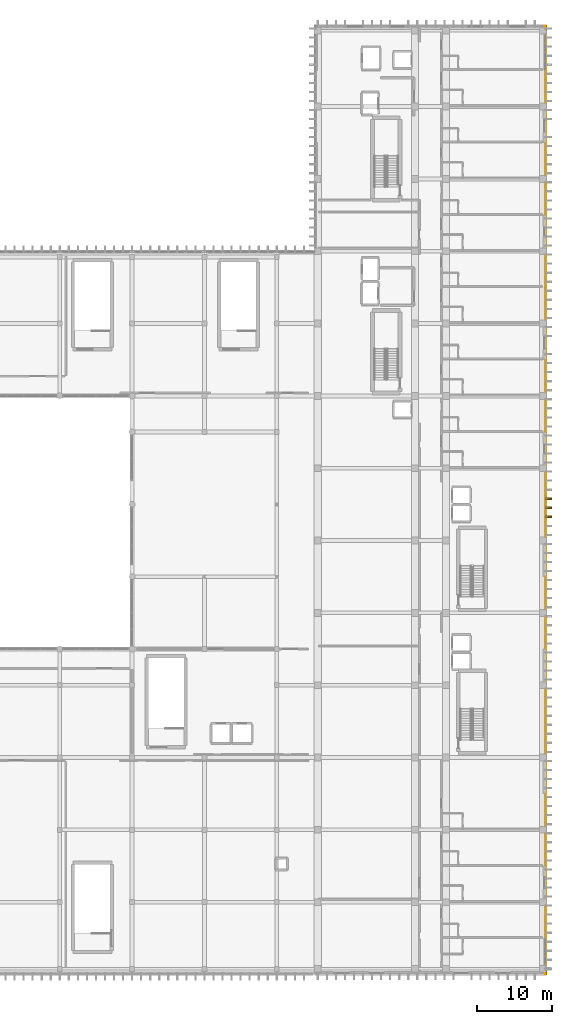
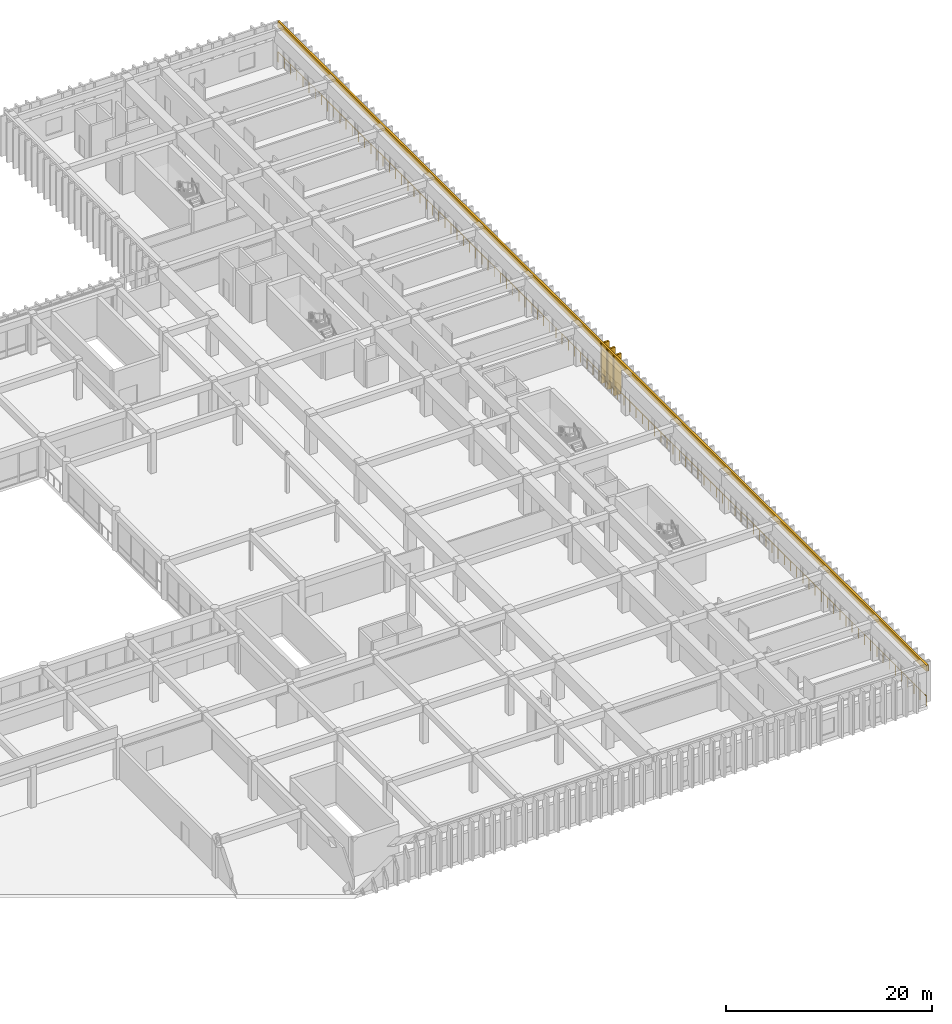
# One storey, part 97 of 101: 4 coverings, 3 shading devices, 1 railing.
"""IFC4 building model written with IfcOpenShell, lengths in metres."""

from ifc_helpers import new_model, si_unit, direction, frame, origin, origin_2d, place, context, subcontext, project, spatial, rectangle, circle, extrude, material, layer, layer_set, type_object, element, save


model = new_model("IFC4")

# Units and contexts
model_context = context("Model", 3, precision=1e-05, world=origin(), true_north=direction((0.0, 1.0)))
body_context = subcontext(model_context, "Body", "Model", "MODEL_VIEW")
ifc_project = project(units=[si_unit("LENGTHUNIT", "METRE"), si_unit("AREAUNIT", "SQUARE_METRE"), si_unit("VOLUMEUNIT", "CUBIC_METRE"), si_unit("PLANEANGLEUNIT", "RADIAN"), si_unit("MASSUNIT", "GRAM", prefix="KILO")], contexts=[model_context])

# Site, building, storey
site_placement = place(None, origin())
site = spatial("IfcSite", under=ifc_project, at=site_placement, CompositionType="ELEMENT")
building_placement = place(site_placement, origin())
building = spatial("IfcBuilding", under=site, at=building_placement, Name="Nakhvara Creek Congress Hotel", CompositionType="ELEMENT")
storey_placement = place(building_placement, frame((0.0, 0.0, 16.199951171875)))
storey = spatial("IfcBuildingStorey", under=building, at=storey_placement, Name="L03", CompositionType="ELEMENT", Elevation=16.199951171875)

# Coverings
ifc_material_1 = material(Name="Honed pale Omani limestone architectural cladding", Category="masonry")
ifc_layer_1 = layer(ifc_material_1, 0.219970703125)
ifc_layer_set_1 = layer_set([ifc_layer_1], Name="Honed pale Omani limestone architectural cladding")
covering_type_1 = type_object("IfcCoveringType", Name="COV-FIN-850", PredefinedType="CLADDING", material=ifc_layer_set_1)
for number, where, z_axis, x_axis, name in (
    (1, (180.054931640625, 60.75, 0.0), (0.0, 0.0, 1.0), (0.0, 1.0, 0.0), "Pale Limestone Fin Cladding CF01-1077"),
    (2, (180.054931640625, 61.949951171875, 0.0), (0.0, 0.0, 1.0), (0.0, 1.0, 0.0), "Pale Limestone Fin Cladding CF01-1078"),
    (3, (180.054931640625, 63.14990234375, 0.0), (0.0, 0.0, 1.0), (0.0, 1.0, 0.0), "Pale Limestone Fin Cladding CF01-1079"),
):
    element("IfcCovering", number, at=place(storey_placement, frame(where, z_axis=z_axis, x_axis=x_axis)), inside=storey, type_object=covering_type_1, Name=name, PredefinedType="CLADDING", context=body_context, shape_type="SweptSolid", body=[
        extrude(rectangle(XDim=0.219970703125, YDim=0.85009765625, at=origin_2d()), origin(), (0.0, 0.0, 1.0), 4.760009765625),
    ])
ifc_layer_2 = layer(ifc_material_1, 0.179931640625)
ifc_layer_set_2 = layer_set([ifc_layer_2], Name="Honed pale Omani limestone architectural cladding")
covering_type_2 = type_object("IfcCoveringType", Name="COV-SPN-180", PredefinedType="CLADDING", material=ifc_layer_set_2)
covering_placement = place(storey_placement, frame((179.739990234375, 63.0, 4.110107421875), z_axis=(0.0, 0.0, 1.0), x_axis=(0.0, 1.0, 0.0)))
element("IfcCovering", 4, at=covering_placement, inside=storey, type_object=covering_type_2, Name="Pale Limestone Spandrel Band CF02-0053", PredefinedType="CLADDING", context=body_context, shape_type="SweptSolid", body=[
    extrude(rectangle(XDim=126.0, YDim=0.219970703125, at=origin_2d()), origin(), (0.0, 0.0, 1.0), 0.72998046875),
])

# Railing
ifc_material_2 = material(Name="Brushed stainless steel 316L", Category="steel")
railing_type = type_object("IfcRailingType", Name="RL-GUARD-1200", PredefinedType="GUARDRAIL", material=ifc_material_2)
railing_placement = place(storey_placement, frame((179.669921875, 0.080078125, 0.0)))
element("IfcRailing", 5, at=railing_placement, inside=storey, type_object=railing_type, Name="Perimeter Safety Rail East L03", PredefinedType="GUARDRAIL", context=body_context, shape_type="SweptSolid", body=[
    extrude(circle(Radius=0.02392578125, at=origin_2d()), frame((0.0, 0.0146484375, 1.17578125), z_axis=(0.0, 1.0, 0.0), x_axis=(-1.0, 0.0, 0.0)), (0.0, 0.0, 1.0), 125.810546875),
    extrude(circle(Radius=0.02099609375, at=origin_2d()), origin(), (0.0, 0.0, 1.0), 1.1806640625),
    extrude(circle(Radius=0.02099609375, at=origin_2d()), frame((0.0, 1.198486328125, 0.0)), (0.0, 0.0, 1.0), 1.1806640625),
    extrude(circle(Radius=0.02099609375, at=origin_2d()), frame((0.0, 2.39697265625, 0.0)), (0.0, 0.0, 1.0), 1.1806640625),
    extrude(circle(Radius=0.02099609375, at=origin_2d()), frame((0.0, 3.595458984375, 0.0)), (0.0, 0.0, 1.0), 1.1806640625),
    extrude(circle(Radius=0.02099609375, at=origin_2d()), frame((0.0, 4.7939453125, 0.0)), (0.0, 0.0, 1.0), 1.1806640625),
    extrude(circle(Radius=0.02099609375, at=origin_2d()), frame((0.0, 5.992431640625, 0.0)), (0.0, 0.0, 1.0), 1.1806640625),
    extrude(circle(Radius=0.02099609375, at=origin_2d()), frame((0.0, 7.19091796875, 0.0)), (0.0, 0.0, 1.0), 1.1806640625),
    extrude(circle(Radius=0.02099609375, at=origin_2d()), frame((0.0, 8.389404296875, 0.0)), (0.0, 0.0, 1.0), 1.1806640625),
    extrude(circle(Radius=0.02099609375, at=origin_2d()), frame((0.0, 9.587890625, 0.0)), (0.0, 0.0, 1.0), 1.1806640625),
    extrude(circle(Radius=0.02099609375, at=origin_2d()), frame((0.0, 10.786376953125, 0.0)), (0.0, 0.0, 1.0), 1.1806640625),
    extrude(circle(Radius=0.02099609375, at=origin_2d()), frame((0.0, 11.98486328125, 0.0)), (0.0, 0.0, 1.0), 1.1806640625),
    extrude(circle(Radius=0.02099609375, at=origin_2d()), frame((0.0, 13.18310546875, 0.0)), (0.0, 0.0, 1.0), 1.1806640625),
    extrude(circle(Radius=0.02099609375, at=origin_2d()), frame((0.0, 14.381591796875, 0.0)), (0.0, 0.0, 1.0), 1.1806640625),
    extrude(circle(Radius=0.02099609375, at=origin_2d()), frame((0.0, 15.580078125, 0.0)), (0.0, 0.0, 1.0), 1.1806640625),
    extrude(circle(Radius=0.02099609375, at=origin_2d()), frame((0.0, 16.778564453125, 0.0)), (0.0, 0.0, 1.0), 1.1806640625),
    extrude(circle(Radius=0.02099609375, at=origin_2d()), frame((0.0, 17.97705078125, 0.0)), (0.0, 0.0, 1.0), 1.1806640625),
    extrude(circle(Radius=0.02099609375, at=origin_2d()), frame((0.0, 19.175537109375, 0.0)), (0.0, 0.0, 1.0), 1.1806640625),
    extrude(circle(Radius=0.02099609375, at=origin_2d()), frame((0.0, 20.3740234375, 0.0)), (0.0, 0.0, 1.0), 1.1806640625),
    extrude(circle(Radius=0.02099609375, at=origin_2d()), frame((0.0, 21.572509765625, 0.0)), (0.0, 0.0, 1.0), 1.1806640625),
    extrude(circle(Radius=0.02099609375, at=origin_2d()), frame((0.0, 22.77099609375, 0.0)), (0.0, 0.0, 1.0), 1.1806640625),
    extrude(circle(Radius=0.02099609375, at=origin_2d()), frame((0.0, 23.969482421875, 0.0)), (0.0, 0.0, 1.0), 1.1806640625),
    extrude(circle(Radius=0.02099609375, at=origin_2d()), frame((0.0, 25.16796875, 0.0)), (0.0, 0.0, 1.0), 1.1806640625),
    extrude(circle(Radius=0.02099609375, at=origin_2d()), frame((0.0, 26.366455078125, 0.0)), (0.0, 0.0, 1.0), 1.1806640625),
    extrude(circle(Radius=0.02099609375, at=origin_2d()), frame((0.0, 27.56494140625, 0.0)), (0.0, 0.0, 1.0), 1.1806640625),
    extrude(circle(Radius=0.02099609375, at=origin_2d()), frame((0.0, 28.763427734375, 0.0)), (0.0, 0.0, 1.0), 1.1806640625),
    extrude(circle(Radius=0.02099609375, at=origin_2d()), frame((0.0, 29.9619140625, 0.0)), (0.0, 0.0, 1.0), 1.1806640625),
    extrude(circle(Radius=0.02099609375, at=origin_2d()), frame((0.0, 31.160400390625, 0.0)), (0.0, 0.0, 1.0), 1.1806640625),
    extrude(circle(Radius=0.02099609375, at=origin_2d()), frame((0.0, 32.35888671875, 0.0)), (0.0, 0.0, 1.0), 1.1806640625),
    extrude(circle(Radius=0.02099609375, at=origin_2d()), frame((0.0, 33.557373046875, 0.0)), (0.0, 0.0, 1.0), 1.1806640625),
    extrude(circle(Radius=0.02099609375, at=origin_2d()), frame((0.0, 34.755859375, 0.0)), (0.0, 0.0, 1.0), 1.1806640625),
    extrude(circle(Radius=0.02099609375, at=origin_2d()), frame((0.0, 35.954345703125, 0.0)), (0.0, 0.0, 1.0), 1.1806640625),
    extrude(circle(Radius=0.02099609375, at=origin_2d()), frame((0.0, 37.15283203125, 0.0)), (0.0, 0.0, 1.0), 1.1806640625),
    extrude(circle(Radius=0.02099609375, at=origin_2d()), frame((0.0, 38.35107421875, 0.0)), (0.0, 0.0, 1.0), 1.1806640625),
    extrude(circle(Radius=0.02099609375, at=origin_2d()), frame((0.0, 39.549560546875, 0.0)), (0.0, 0.0, 1.0), 1.1806640625),
    extrude(circle(Radius=0.02099609375, at=origin_2d()), frame((0.0, 40.748046875, 0.0)), (0.0, 0.0, 1.0), 1.1806640625),
    extrude(circle(Radius=0.02099609375, at=origin_2d()), frame((0.0, 41.946533203125, 0.0)), (0.0, 0.0, 1.0), 1.1806640625),
    extrude(circle(Radius=0.02099609375, at=origin_2d()), frame((0.0, 43.14501953125, 0.0)), (0.0, 0.0, 1.0), 1.1806640625),
    extrude(circle(Radius=0.02099609375, at=origin_2d()), frame((0.0, 44.343505859375, 0.0)), (0.0, 0.0, 1.0), 1.1806640625),
    extrude(circle(Radius=0.02099609375, at=origin_2d()), frame((0.0, 45.5419921875, 0.0)), (0.0, 0.0, 1.0), 1.1806640625),
    extrude(circle(Radius=0.02099609375, at=origin_2d()), frame((0.0, 46.740478515625, 0.0)), (0.0, 0.0, 1.0), 1.1806640625),
    extrude(circle(Radius=0.02099609375, at=origin_2d()), frame((0.0, 47.93896484375, 0.0)), (0.0, 0.0, 1.0), 1.1806640625),
    extrude(circle(Radius=0.02099609375, at=origin_2d()), frame((0.0, 49.137451171875, 0.0)), (0.0, 0.0, 1.0), 1.1806640625),
    extrude(circle(Radius=0.02099609375, at=origin_2d()), frame((0.0, 50.3359375, 0.0)), (0.0, 0.0, 1.0), 1.1806640625),
    extrude(circle(Radius=0.02099609375, at=origin_2d()), frame((0.0, 51.534423828125, 0.0)), (0.0, 0.0, 1.0), 1.1806640625),
    extrude(circle(Radius=0.02099609375, at=origin_2d()), frame((0.0, 52.73291015625, 0.0)), (0.0, 0.0, 1.0), 1.1806640625),
    extrude(circle(Radius=0.02099609375, at=origin_2d()), frame((0.0, 53.931396484375, 0.0)), (0.0, 0.0, 1.0), 1.1806640625),
    extrude(circle(Radius=0.02099609375, at=origin_2d()), frame((0.0, 55.1298828125, 0.0)), (0.0, 0.0, 1.0), 1.1806640625),
    extrude(circle(Radius=0.02099609375, at=origin_2d()), frame((0.0, 56.328369140625, 0.0)), (0.0, 0.0, 1.0), 1.1806640625),
    extrude(circle(Radius=0.02099609375, at=origin_2d()), frame((0.0, 57.52685546875, 0.0)), (0.0, 0.0, 1.0), 1.1806640625),
    extrude(circle(Radius=0.02099609375, at=origin_2d()), frame((0.0, 58.725341796875, 0.0)), (0.0, 0.0, 1.0), 1.1806640625),
    extrude(circle(Radius=0.02099609375, at=origin_2d()), frame((0.0, 59.923828125, 0.0)), (0.0, 0.0, 1.0), 1.1806640625),
    extrude(circle(Radius=0.02099609375, at=origin_2d()), frame((0.0, 61.122314453125, 0.0)), (0.0, 0.0, 1.0), 1.1806640625),
    extrude(circle(Radius=0.02099609375, at=origin_2d()), frame((0.0, 62.32080078125, 0.0)), (0.0, 0.0, 1.0), 1.1806640625),
    extrude(circle(Radius=0.02099609375, at=origin_2d()), frame((0.0, 63.51904296875, 0.0)), (0.0, 0.0, 1.0), 1.1806640625),
    extrude(circle(Radius=0.02099609375, at=origin_2d()), frame((0.0, 64.717529296875, 0.0)), (0.0, 0.0, 1.0), 1.1806640625),
    extrude(circle(Radius=0.02099609375, at=origin_2d()), frame((0.0, 65.916015625, 0.0)), (0.0, 0.0, 1.0), 1.1806640625),
    extrude(circle(Radius=0.02099609375, at=origin_2d()), frame((0.0, 67.114501953125, 0.0)), (0.0, 0.0, 1.0), 1.1806640625),
    extrude(circle(Radius=0.02099609375, at=origin_2d()), frame((0.0, 68.31298828125, 0.0)), (0.0, 0.0, 1.0), 1.1806640625),
    extrude(circle(Radius=0.02099609375, at=origin_2d()), frame((0.0, 69.511474609375, 0.0)), (0.0, 0.0, 1.0), 1.1806640625),
    extrude(circle(Radius=0.02099609375, at=origin_2d()), frame((0.0, 70.7099609375, 0.0)), (0.0, 0.0, 1.0), 1.1806640625),
    extrude(circle(Radius=0.02099609375, at=origin_2d()), frame((0.0, 71.908447265625, 0.0)), (0.0, 0.0, 1.0), 1.1806640625),
    extrude(circle(Radius=0.02099609375, at=origin_2d()), frame((0.0, 73.10693359375, 0.0)), (0.0, 0.0, 1.0), 1.1806640625),
    extrude(circle(Radius=0.02099609375, at=origin_2d()), frame((0.0, 74.305419921875, 0.0)), (0.0, 0.0, 1.0), 1.1806640625),
    extrude(circle(Radius=0.02099609375, at=origin_2d()), frame((0.0, 75.50390625, 0.0)), (0.0, 0.0, 1.0), 1.1806640625),
    extrude(circle(Radius=0.02099609375, at=origin_2d()), frame((0.0, 76.702392578125, 0.0)), (0.0, 0.0, 1.0), 1.1806640625),
    extrude(circle(Radius=0.02099609375, at=origin_2d()), frame((0.0, 77.90087890625, 0.0)), (0.0, 0.0, 1.0), 1.1806640625),
    extrude(circle(Radius=0.02099609375, at=origin_2d()), frame((0.0, 79.099365234375, 0.0)), (0.0, 0.0, 1.0), 1.1806640625),
    extrude(circle(Radius=0.02099609375, at=origin_2d()), frame((0.0, 80.2978515625, 0.0)), (0.0, 0.0, 1.0), 1.1806640625),
    extrude(circle(Radius=0.02099609375, at=origin_2d()), frame((0.0, 81.496337890625, 0.0)), (0.0, 0.0, 1.0), 1.1806640625),
    extrude(circle(Radius=0.02099609375, at=origin_2d()), frame((0.0, 82.69482421875, 0.0)), (0.0, 0.0, 1.0), 1.1806640625),
    extrude(circle(Radius=0.02099609375, at=origin_2d()), frame((0.0, 83.893310546875, 0.0)), (0.0, 0.0, 1.0), 1.1806640625),
    extrude(circle(Radius=0.02099609375, at=origin_2d()), frame((0.0, 85.091796875, 0.0)), (0.0, 0.0, 1.0), 1.1806640625),
    extrude(circle(Radius=0.02099609375, at=origin_2d()), frame((0.0, 86.290283203125, 0.0)), (0.0, 0.0, 1.0), 1.1806640625),
    extrude(circle(Radius=0.02099609375, at=origin_2d()), frame((0.0, 87.48876953125, 0.0)), (0.0, 0.0, 1.0), 1.1806640625),
    extrude(circle(Radius=0.02099609375, at=origin_2d()), frame((0.0, 88.68701171875, 0.0)), (0.0, 0.0, 1.0), 1.1806640625),
    extrude(circle(Radius=0.02099609375, at=origin_2d()), frame((0.0, 89.885498046875, 0.0)), (0.0, 0.0, 1.0), 1.1806640625),
    extrude(circle(Radius=0.02099609375, at=origin_2d()), frame((0.0, 91.083984375, 0.0)), (0.0, 0.0, 1.0), 1.1806640625),
    extrude(circle(Radius=0.02099609375, at=origin_2d()), frame((0.0, 92.282470703125, 0.0)), (0.0, 0.0, 1.0), 1.1806640625),
    extrude(circle(Radius=0.02099609375, at=origin_2d()), frame((0.0, 93.48095703125, 0.0)), (0.0, 0.0, 1.0), 1.1806640625),
    extrude(circle(Radius=0.02099609375, at=origin_2d()), frame((0.0, 94.679443359375, 0.0)), (0.0, 0.0, 1.0), 1.1806640625),
    extrude(circle(Radius=0.02099609375, at=origin_2d()), frame((0.0, 95.8779296875, 0.0)), (0.0, 0.0, 1.0), 1.1806640625),
    extrude(circle(Radius=0.02099609375, at=origin_2d()), frame((0.0, 97.076416015625, 0.0)), (0.0, 0.0, 1.0), 1.1806640625),
    extrude(circle(Radius=0.02099609375, at=origin_2d()), frame((0.0, 98.27490234375, 0.0)), (0.0, 0.0, 1.0), 1.1806640625),
    extrude(circle(Radius=0.02099609375, at=origin_2d()), frame((0.0, 99.473388671875, 0.0)), (0.0, 0.0, 1.0), 1.1806640625),
    extrude(circle(Radius=0.02099609375, at=origin_2d()), frame((0.0, 100.671875, 0.0)), (0.0, 0.0, 1.0), 1.1806640625),
    extrude(circle(Radius=0.02099609375, at=origin_2d()), frame((0.0, 101.870361328125, 0.0)), (0.0, 0.0, 1.0), 1.1806640625),
    extrude(circle(Radius=0.02099609375, at=origin_2d()), frame((0.0, 103.06884765625, 0.0)), (0.0, 0.0, 1.0), 1.1806640625),
    extrude(circle(Radius=0.02099609375, at=origin_2d()), frame((0.0, 104.267333984375, 0.0)), (0.0, 0.0, 1.0), 1.1806640625),
    extrude(circle(Radius=0.02099609375, at=origin_2d()), frame((0.0, 105.4658203125, 0.0)), (0.0, 0.0, 1.0), 1.1806640625),
    extrude(circle(Radius=0.02099609375, at=origin_2d()), frame((0.0, 106.664306640625, 0.0)), (0.0, 0.0, 1.0), 1.1806640625),
    extrude(circle(Radius=0.02099609375, at=origin_2d()), frame((0.0, 107.86279296875, 0.0)), (0.0, 0.0, 1.0), 1.1806640625),
    extrude(circle(Radius=0.02099609375, at=origin_2d()), frame((0.0, 109.061279296875, 0.0)), (0.0, 0.0, 1.0), 1.1806640625),
    extrude(circle(Radius=0.02099609375, at=origin_2d()), frame((0.0, 110.259765625, 0.0)), (0.0, 0.0, 1.0), 1.1806640625),
    extrude(circle(Radius=0.02099609375, at=origin_2d()), frame((0.0, 111.458251953125, 0.0)), (0.0, 0.0, 1.0), 1.1806640625),
    extrude(circle(Radius=0.02099609375, at=origin_2d()), frame((0.0, 112.65673828125, 0.0)), (0.0, 0.0, 1.0), 1.1806640625),
    extrude(circle(Radius=0.02099609375, at=origin_2d()), frame((0.0, 113.85498046875, 0.0)), (0.0, 0.0, 1.0), 1.1806640625),
    extrude(circle(Radius=0.02099609375, at=origin_2d()), frame((0.0, 115.053466796875, 0.0)), (0.0, 0.0, 1.0), 1.1806640625),
    extrude(circle(Radius=0.02099609375, at=origin_2d()), frame((0.0, 116.251953125, 0.0)), (0.0, 0.0, 1.0), 1.1806640625),
    extrude(circle(Radius=0.02099609375, at=origin_2d()), frame((0.0, 117.450439453125, 0.0)), (0.0, 0.0, 1.0), 1.1806640625),
    extrude(circle(Radius=0.02099609375, at=origin_2d()), frame((0.0, 118.64892578125, 0.0)), (0.0, 0.0, 1.0), 1.1806640625),
    extrude(circle(Radius=0.02099609375, at=origin_2d()), frame((0.0, 119.847412109375, 0.0)), (0.0, 0.0, 1.0), 1.1806640625),
    extrude(circle(Radius=0.02099609375, at=origin_2d()), frame((0.0, 121.0458984375, 0.0)), (0.0, 0.0, 1.0), 1.1806640625),
    extrude(circle(Radius=0.02099609375, at=origin_2d()), frame((0.0, 122.244384765625, 0.0)), (0.0, 0.0, 1.0), 1.1806640625),
    extrude(circle(Radius=0.02099609375, at=origin_2d()), frame((0.0, 123.44287109375, 0.0)), (0.0, 0.0, 1.0), 1.1806640625),
    extrude(circle(Radius=0.02099609375, at=origin_2d()), frame((0.0, 124.641357421875, 0.0)), (0.0, 0.0, 1.0), 1.1806640625),
    extrude(circle(Radius=0.02099609375, at=origin_2d()), frame((0.0, 125.83984375, 0.0)), (0.0, 0.0, 1.0), 1.1806640625),
])

# Shading devices
ifc_material_3 = material(Name="Honed pale Omani limestone cladding on stainless steel spine", Category="masonry")
shading_device_type = type_object("IfcShadingDeviceType", Name="SHD-FIN-850X4700", PredefinedType="USERDEFINED", material=ifc_material_3)
for number, where, z_axis, x_axis, name in (
    (6, (180.054931640625, 60.75, 0.0), (0.0, 0.0, 1.0), (0.0, 1.0, 0.0), "Limestone Solar Fin FN02-0942"),
    (7, (180.054931640625, 61.949951171875, 0.0), (0.0, 0.0, 1.0), (0.0, 1.0, 0.0), "Limestone Solar Fin FN02-0943"),
    (8, (180.054931640625, 63.14990234375, 0.0), (0.0, 0.0, 1.0), (0.0, 1.0, 0.0), "Limestone Solar Fin FN02-0944"),
):
    element("IfcShadingDevice", number, at=place(storey_placement, frame(where, z_axis=z_axis, x_axis=x_axis)), inside=storey, type_object=shading_device_type, Name=name, ObjectType="FIN", PredefinedType="USERDEFINED", context=body_context, shape_type="SweptSolid", body=[
        extrude(rectangle(XDim=0.199951171875, YDim=0.85009765625, at=origin_2d()), origin(), (0.0, 0.0, 1.0), 4.760009765625),
    ])

save(model, "model.ifc")
